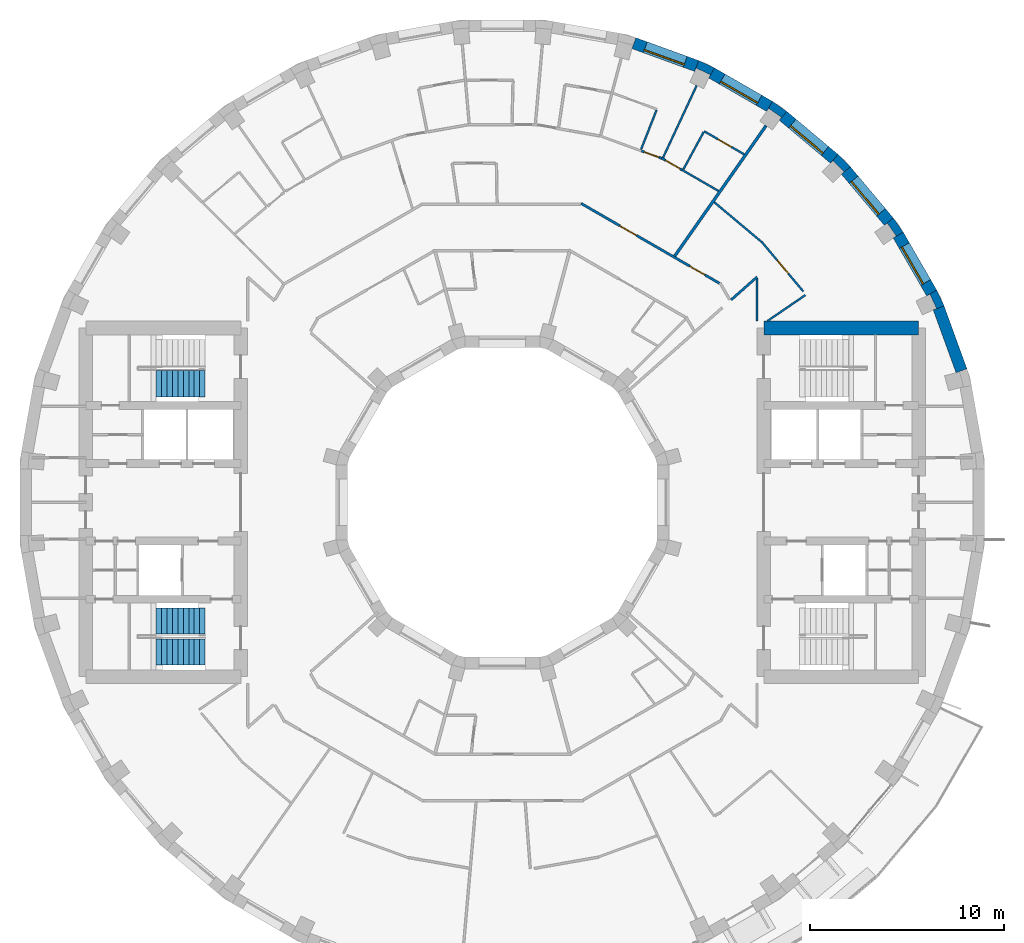
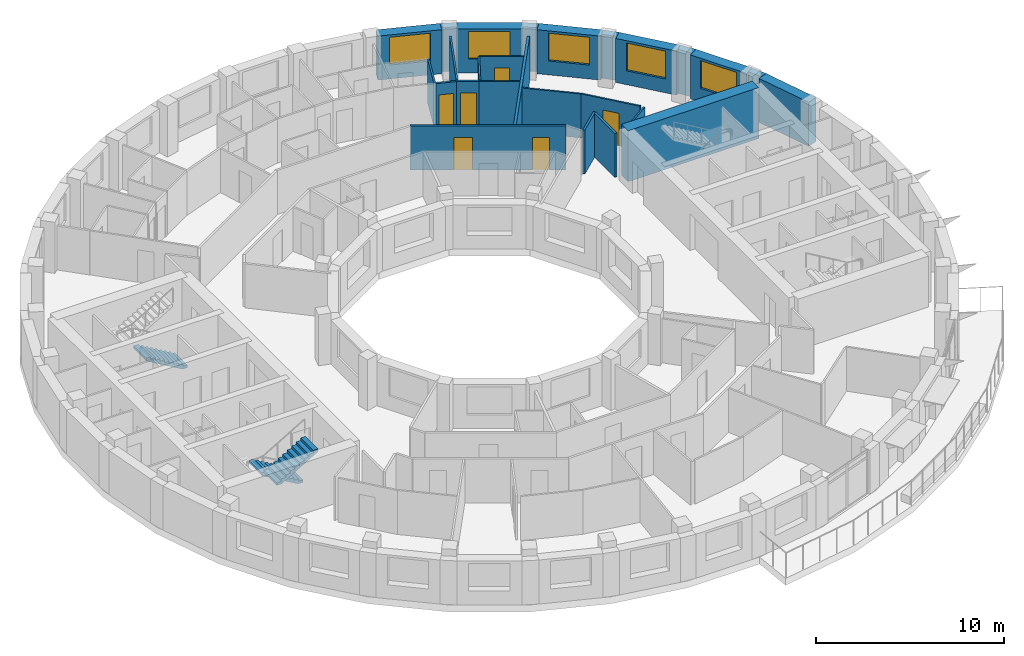
# One storey, part 13 of 15: 26 walls, 6 doors, 5 windows, 3 stair flights, 11 openings, 2 elements without a shape of their own.
"""IFC4 building model written with IfcOpenShell, lengths in metres."""

from ifc_helpers import new_model, si_unit, direction, frame, frame_2d, origin, place, context, subcontext, project, spatial, polyline, rectangle, outline, extrude, material, layer, layer_set, type_object, element, fill, aggregate, save


model = new_model("IFC4")

# Units and contexts
model_context = context("Model", 3, precision=1e-05, world=origin(), true_north=direction((0.0, 1.0)))
body_context = subcontext(model_context, "Body", "Model", "MODEL_VIEW")
ifc_project = project(units=[si_unit("LENGTHUNIT", "METRE"), si_unit("AREAUNIT", "SQUARE_METRE"), si_unit("VOLUMEUNIT", "CUBIC_METRE"), si_unit("PLANEANGLEUNIT", "RADIAN"), si_unit("MASSUNIT", "GRAM", prefix="KILO")], contexts=[model_context])

# Site, building, storey
site_placement = place(None, origin())
site = spatial("IfcSite", under=ifc_project, at=site_placement, CompositionType="ELEMENT")
building_placement = place(site_placement, origin())
building = spatial("IfcBuilding", under=site, at=building_placement, Name="Saqina Gate Tower", CompositionType="ELEMENT")
storey_placement = place(building_placement, frame((0.0, 0.0, 167.39990234375)))
storey = spatial("IfcBuildingStorey", under=building, at=storey_placement, Name="L47", CompositionType="ELEMENT", Elevation=167.39990234375)

# Walls
ifc_material_1 = material(Name="Brick masonry (buff)", Category="masonry")
wall_type_1 = type_object("IfcWallType", Name="BRICK PIER COPING BUFF", PredefinedType="SOLIDWALL", material=ifc_material_1)
wall_1_placement = place(storey_placement, origin())
element("IfcWall", 1, at=wall_1_placement, inside=storey, type_object=wall_type_1, Name="Pier cap L47 column 3", PredefinedType="SOLIDWALL", context=body_context, shape_type="SweptSolid", body=[
    extrude(outline(polyline([(22.4306640625, 10.958740234375), (21.9111328125, 10.65869140625), (22.080810546875, 10.73779296875), (22.4189453125, 10.0126953125), (22.249267578125, 9.93359375), (22.81298828125, 10.138916015625), (22.4306640625, 10.958740234375)])), origin(), (0.0, 0.0, 1.0), 2.85009765625),
])
wall_2_placement = place(storey_placement, origin())
element("IfcWall", 2, at=wall_2_placement, inside=storey, type_object=wall_type_1, Name="Pier cap L47 column 4", PredefinedType="SOLIDWALL", context=body_context, shape_type="SweptSolid", body=[
    extrude(outline(polyline([(20.705810546875, 13.9462890625), (20.18701171875, 14.687255859375), (19.727294921875, 14.301513671875), (19.880859375, 14.408935546875), (20.339599609375, 13.753662109375), (20.186279296875, 13.646240234375), (20.705810546875, 13.9462890625)])), origin(), (0.0, 0.0, 1.0), 2.85009765625),
])
wall_3_placement = place(storey_placement, origin())
element("IfcWall", 3, at=wall_3_placement, inside=storey, type_object=wall_type_1, Name="Pier cap L47 column 5", PredefinedType="SOLIDWALL", context=body_context, shape_type="SweptSolid", body=[
    extrude(outline(polyline([(17.329833984375, 17.969482421875), (16.944091796875, 17.510009765625), (17.07666015625, 17.642333984375), (17.642333984375, 17.07666015625), (17.510009765625, 16.944091796875), (17.969482421875, 17.329833984375), (17.329833984375, 17.969482421875)])), origin(), (0.0, 0.0, 1.0), 2.85009765625),
])
wall_4_placement = place(storey_placement, origin())
element("IfcWall", 4, at=wall_4_placement, inside=storey, type_object=wall_type_1, Name="Pier cap L47 column 6", PredefinedType="SOLIDWALL", context=body_context, shape_type="SweptSolid", body=[
    extrude(outline(polyline([(14.687255859375, 20.18701171875), (13.9462890625, 20.705810546875), (13.646240234375, 20.186279296875), (13.753662109375, 20.339599609375), (14.408935546875, 19.880859375), (14.301513671875, 19.727294921875), (14.687255859375, 20.18701171875)])), origin(), (0.0, 0.0, 1.0), 2.85009765625),
])
wall_5_placement = place(storey_placement, origin())
element("IfcWall", 5, at=wall_5_placement, inside=storey, type_object=wall_type_1, Name="Pier cap L47 column 7", PredefinedType="SOLIDWALL", context=body_context, shape_type="SweptSolid", body=[
    extrude(outline(polyline([(10.138916015625, 22.81298828125), (9.93359375, 22.249267578125), (10.0126953125, 22.4189453125), (10.73779296875, 22.080810546875), (10.65869140625, 21.9111328125), (10.958740234375, 22.4306640625), (10.138916015625, 22.81298828125)])), origin(), (0.0, 0.0, 1.0), 2.85009765625),
])

# Wall, opening, window
ifc_material_2 = material(Name="Brick masonry (buff)", Category="masonry")
ifc_layer_1 = layer(ifc_material_2, 0.60009765625)
ifc_layer_set_1 = layer_set([ifc_layer_1], Name="FW-BRICK-BUFF")
wall_type_2 = type_object("IfcWallType", Name="FW-BRICK-BUFF", PredefinedType="SOLIDWALL", material=ifc_layer_set_1)
wall_6_placement = place(storey_placement, frame((22.1708984375, 10.80859375, 0.0), z_axis=(0.0, 0.0, 1.0), x_axis=(-0.499998129301, 0.86602648383, 0.0)))
wall_6 = element("IfcWall", 6, at=wall_6_placement, inside=storey, type_object=wall_type_2, Name="Facade wall L47 facet 3", PredefinedType="SOLIDWALL", context=body_context, shape_type="SweptSolid", body=[
    extrude(rectangle(XDim=3.44970703125, YDim=0.60009765625, at=frame_2d((1.724853515625, 0.0))), origin(), (0.0, 0.0, 1.0), 2.85009765625),
])
opening_1_placement = place(wall_6_placement, frame((0.625, 0.0, 0.89990234375)))
opening_1 = element("IfcOpeningElement", 7, at=opening_1_placement, cuts=wall_6, Name="Opening G13-W01", PredefinedType="OPENING", context=body_context, shape_type="SweptSolid", body=[
    extrude(rectangle(XDim=2.199951171875, YDim=1.800048828125, at=frame_2d((1.10009765625, 0.89990234375))), frame((0.0, 0.31201171875, 0.0), z_axis=(0.0, -1.0, 0.0), x_axis=(1.0, 0.0, 0.0)), (0.0, 0.0, 1.0), 0.6240234375),
])
ifc_material_3 = material(Name="Aluminium glazing", Category="aluminium")
window_type = type_object("IfcWindowType", Name="WN-C", PartitioningType="SINGLE_PANEL", PredefinedType="WINDOW", material=ifc_material_3)
window_1_placement = place(opening_1_placement, origin())
window_1 = element("IfcWindow", 8, at=window_1_placement, inside=storey, type_object=window_type, Name="Window L47 facet 3", OverallHeight=1.800048828125, OverallWidth=2.199951171875, PartitioningType="SINGLE_PANEL", PredefinedType="WINDOW", context=body_context, shape_type="SweptSolid", body=[
    extrude(rectangle(XDim=2.199951171875, YDim=1.800048828125, at=frame_2d((1.10009765625, 0.89990234375))), frame((0.0, 0.179931640625, 0.0), z_axis=(0.0, -1.0, 0.0), x_axis=(1.0, 0.0, 0.0)), (0.0, 0.0, 1.0), 0.06005859375),
])
fill(opening_1, window_1)

wall_7_placement = place(storey_placement, frame((19.95703125, 14.494384765625, 0.0), z_axis=(0.0, 0.0, 1.0), x_axis=(-0.642770398358, 0.766058884809, 0.0)))
wall_7 = element("IfcWall", 9, at=wall_7_placement, inside=storey, type_object=wall_type_2, Name="Facade wall L47 facet 4", PredefinedType="SOLIDWALL", context=body_context, shape_type="SweptSolid", body=[
    extrude(rectangle(XDim=3.449462890625, YDim=0.60009765625, at=frame_2d((1.724609375, 0.0))), origin(), (0.0, 0.0, 1.0), 2.85009765625),
])
opening_2_placement = place(wall_7_placement, frame((0.625, 0.0, 0.89990234375)))
opening_2 = element("IfcOpeningElement", 10, at=opening_2_placement, cuts=wall_7, Name="Opening G13-W02", PredefinedType="OPENING", context=body_context, shape_type="SweptSolid", body=[
    extrude(rectangle(XDim=2.199951171875, YDim=1.800048828125, at=frame_2d((1.10009765625, 0.89990234375))), frame((0.0, 0.31201171875, 0.0), z_axis=(0.0, -1.0, 0.0), x_axis=(1.0, 0.0, 0.0)), (0.0, 0.0, 1.0), 0.6240234375),
])
window_2_placement = place(opening_2_placement, origin())
window_2 = element("IfcWindow", 11, at=window_2_placement, inside=storey, type_object=window_type, Name="Window L47 facet 4", OverallHeight=1.800048828125, OverallWidth=2.199951171875, PartitioningType="SINGLE_PANEL", PredefinedType="WINDOW", context=body_context, shape_type="SweptSolid", body=[
    extrude(rectangle(XDim=2.199951171875, YDim=1.800048828125, at=frame_2d((1.10009765625, 0.89990234375))), frame((0.0, 0.179931640625, 0.0), z_axis=(0.0, -1.0, 0.0), x_axis=(1.0, 0.0, 0.0)), (0.0, 0.0, 1.0), 0.06005859375),
])
fill(opening_2, window_2)

wall_8_placement = place(storey_placement, frame((17.136962890625, 17.73974609375, 0.0), z_axis=(0.0, 0.0, 1.0), x_axis=(-0.766058884809, 0.642770398358, 0.0)))
wall_8 = element("IfcWall", 12, at=wall_8_placement, inside=storey, type_object=wall_type_2, Name="Facade wall L47 facet 5", PredefinedType="SOLIDWALL", context=body_context, shape_type="SweptSolid", body=[
    extrude(rectangle(XDim=3.449462890625, YDim=0.60009765625, at=frame_2d((1.724609375, 0.0))), origin(), (0.0, 0.0, 1.0), 2.85009765625),
])
opening_3_placement = place(wall_8_placement, frame((0.625, 0.0, 0.89990234375)))
opening_3 = element("IfcOpeningElement", 13, at=opening_3_placement, cuts=wall_8, Name="Opening G13-W03", PredefinedType="OPENING", context=body_context, shape_type="SweptSolid", body=[
    extrude(rectangle(XDim=2.199951171875, YDim=1.800048828125, at=frame_2d((1.10009765625, 0.89990234375))), frame((0.0, 0.31201171875, 0.0), z_axis=(0.0, -1.0, 0.0), x_axis=(1.0, 0.0, 0.0)), (0.0, 0.0, 1.0), 0.6240234375),
])
window_3_placement = place(opening_3_placement, origin())
window_3 = element("IfcWindow", 14, at=window_3_placement, inside=storey, type_object=window_type, Name="Window L47 facet 5", OverallHeight=1.800048828125, OverallWidth=2.199951171875, PartitioningType="SINGLE_PANEL", PredefinedType="WINDOW", context=body_context, shape_type="SweptSolid", body=[
    extrude(rectangle(XDim=2.199951171875, YDim=1.800048828125, at=frame_2d((1.10009765625, 0.89990234375))), frame((0.0, 0.179931640625, 0.0), z_axis=(0.0, -1.0, 0.0), x_axis=(1.0, 0.0, 0.0)), (0.0, 0.0, 1.0), 0.06005859375),
])
fill(opening_3, window_3)

wall_9_placement = place(storey_placement, frame((13.796142578125, 20.446044921875, 0.0), z_axis=(0.0, 0.0, 1.0), x_axis=(-0.86602648383, 0.499998129301, 0.0)))
wall_9 = element("IfcWall", 15, at=wall_9_placement, inside=storey, type_object=wall_type_2, Name="Facade wall L47 facet 6", PredefinedType="SOLIDWALL", context=body_context, shape_type="SweptSolid", body=[
    extrude(rectangle(XDim=3.44970703125, YDim=0.60009765625, at=frame_2d((1.724853515625, 0.0))), origin(), (0.0, 0.0, 1.0), 2.85009765625),
])
opening_4_placement = place(wall_9_placement, frame((0.625, 0.0, 0.89990234375)))
opening_4 = element("IfcOpeningElement", 16, at=opening_4_placement, cuts=wall_9, Name="Opening G13-W04", PredefinedType="OPENING", context=body_context, shape_type="SweptSolid", body=[
    extrude(rectangle(XDim=2.199951171875, YDim=1.800048828125, at=frame_2d((1.10009765625, 0.89990234375))), frame((0.0, 0.31201171875, 0.0), z_axis=(0.0, -1.0, 0.0), x_axis=(1.0, 0.0, 0.0)), (0.0, 0.0, 1.0), 0.6240234375),
])
window_4_placement = place(opening_4_placement, origin())
window_4 = element("IfcWindow", 17, at=window_4_placement, inside=storey, type_object=window_type, Name="Window L47 facet 6", OverallHeight=1.800048828125, OverallWidth=2.199951171875, PartitioningType="SINGLE_PANEL", PredefinedType="WINDOW", context=body_context, shape_type="SweptSolid", body=[
    extrude(rectangle(XDim=2.199951171875, YDim=1.800048828125, at=frame_2d((1.10009765625, 0.89990234375))), frame((0.0, 0.179931640625, 0.0), z_axis=(0.0, -1.0, 0.0), x_axis=(1.0, 0.0, 0.0)), (0.0, 0.0, 1.0), 0.06005859375),
])
fill(opening_4, window_4)

wall_10_placement = place(storey_placement, frame((10.0361328125, 22.531005859375, 0.0), z_axis=(0.0, 0.0, 1.0), x_axis=(-0.93968799822, 0.342032843455, 0.0)))
wall_10 = element("IfcWall", 18, at=wall_10_placement, inside=storey, type_object=wall_type_2, Name="Facade wall L47 facet 7", PredefinedType="SOLIDWALL", context=body_context, shape_type="SweptSolid", body=[
    extrude(rectangle(XDim=3.44970703125, YDim=0.60009765625, at=frame_2d((1.724853515625, 0.0))), origin(), (0.0, 0.0, 1.0), 2.85009765625),
])
opening_5_placement = place(wall_10_placement, frame((0.625, 0.0, 0.89990234375)))
opening_5 = element("IfcOpeningElement", 19, at=opening_5_placement, cuts=wall_10, Name="Opening G13-W05", PredefinedType="OPENING", context=body_context, shape_type="SweptSolid", body=[
    extrude(rectangle(XDim=2.199951171875, YDim=1.800048828125, at=frame_2d((1.10009765625, 0.89990234375))), frame((0.0, 0.31201171875, 0.0), z_axis=(0.0, -1.0, 0.0), x_axis=(1.0, 0.0, 0.0)), (0.0, 0.0, 1.0), 0.6240234375),
])
window_5_placement = place(opening_5_placement, origin())
window_5 = element("IfcWindow", 20, at=window_5_placement, inside=storey, type_object=window_type, Name="Window L47 facet 7", OverallHeight=1.800048828125, OverallWidth=2.199951171875, PartitioningType="SINGLE_PANEL", PredefinedType="WINDOW", context=body_context, shape_type="SweptSolid", body=[
    extrude(rectangle(XDim=2.199951171875, YDim=1.800048828125, at=frame_2d((1.10009765625, 0.89990234375))), frame((0.0, 0.179931640625, 0.0), z_axis=(0.0, -1.0, 0.0), x_axis=(1.0, 0.0, 0.0)), (0.0, 0.0, 1.0), 0.06005859375),
])
fill(opening_5, window_5)

# Wall
ifc_material_4 = material(Name="Glazed ceramic tile", Category="ceramic")
ifc_layer_2 = layer(ifc_material_4, 0.60009765625)
ifc_layer_set_2 = layer_set([ifc_layer_2], Name="FW-TILE")
wall_type_3 = type_object("IfcWallType", Name="FW-TILE", PredefinedType="SOLIDWALL", material=ifc_layer_set_2)
wall_11_placement = place(storey_placement, frame((23.7109375, 6.79443359375, 0.0), z_axis=(0.0, 0.0, 1.0), x_axis=(-0.342032843455, 0.93968799822, 0.0)))
element("IfcWall", 21, at=wall_11_placement, inside=storey, type_object=wall_type_3, Name="Facade wall L47 facet 2", PredefinedType="SOLIDWALL", context=body_context, shape_type="SweptSolid", body=[
    extrude(rectangle(XDim=3.44970703125, YDim=0.60009765625, at=frame_2d((1.724853515625, 0.0))), origin(), (0.0, 0.0, 1.0), 2.85009765625),
])

# Wall, opening, door
ifc_material_5 = material(Name="Gypsum board on steel studs, 100 mm", Category="steel")
ifc_layer_3 = layer(ifc_material_5, 0.10009765625)
ifc_layer_set_3 = layer_set([ifc_layer_3], Name="PARTITION 100")
wall_type_4 = type_object("IfcWallType", Name="PARTITION 100", PredefinedType="PARTITIONING", material=ifc_layer_set_3)
wall_12_placement = place(storey_placement, frame((13.386474609375, 13.4580078125, 0.0), z_axis=(0.0, 0.0, 1.0), x_axis=(0.642690725871, -0.766125727854, 0.0)))
wall_12 = element("IfcWall", 22, at=wall_12_placement, inside=storey, type_object=wall_type_4, Name="PARTITION PW3-17", PredefinedType="PARTITIONING", context=body_context, shape_type="SweptSolid", body=[
    extrude(rectangle(XDim=3.3583984375, YDim=0.10009765625, at=frame_2d((1.67919921875, 0.0))), origin(), (0.0, 0.0, 1.0), 2.85009765625),
])
opening_6_placement = place(wall_12_placement, frame((1.254638671875, 0.0, 0.0)))
opening_6 = element("IfcOpeningElement", 23, at=opening_6_placement, cuts=wall_12, Name="Opening G13-D01", PredefinedType="OPENING", context=body_context, shape_type="SweptSolid", body=[
    extrude(rectangle(XDim=0.89990234375, YDim=2.10009765625, at=frame_2d((0.449951171875, 1.050048828125))), frame((0.0, 0.06201171875, 0.0), z_axis=(0.0, -1.0, 0.0), x_axis=(1.0, 0.0, 0.0)), (0.0, 0.0, 1.0), 0.1240234375),
])
ifc_material_6 = material(Name="Timber door leaf, 900 mm", Category="wood")
door_type_1 = type_object("IfcDoorType", Name="DOOR 900 TIMBER", OperationType="SINGLE_SWING_LEFT", PredefinedType="DOOR", material=ifc_material_6)
door_1_placement = place(opening_6_placement, origin())
door_1 = element("IfcDoor", 24, at=door_1_placement, inside=storey, type_object=door_type_1, Name="DOOR G13-D01", OperationType="SINGLE_SWING_RIGHT", OverallHeight=2.10009765625, OverallWidth=0.89990234375, PredefinedType="DOOR", context=body_context, shape_type="SweptSolid", body=[
    extrude(rectangle(XDim=0.89990234375, YDim=2.10009765625, at=frame_2d((0.449951171875, 1.050048828125))), frame((0.0, 0.02490234375, 0.0), z_axis=(0.0, -1.0, 0.0), x_axis=(1.0, 0.0, 0.0)), (0.0, 0.0, 1.0), 0.050048828125),
])
fill(opening_6, door_1)

# Walls
wall_13_placement = place(storey_placement, frame((10.9423828125, 15.496826171875, 0.0), z_axis=(0.0, 0.0, 1.0), x_axis=(0.766085537519, -0.642738632109, 0.0)))
element("IfcWall", 25, at=wall_13_placement, inside=storey, type_object=wall_type_4, Name="PARTITION PW3-22", PredefinedType="PARTITIONING", context=body_context, shape_type="SweptSolid", body=[
    extrude(rectangle(XDim=3.1826171875, YDim=0.10009765625, at=frame_2d((1.59130859375, 0.0))), origin(), (0.0, 0.0, 1.0), 2.85009765625),
])
wall_14_placement = place(storey_placement, frame((9.277587890625, 17.166015625, 0.0), z_axis=(0.0, 0.0, 1.0), x_axis=(0.865855370195, -0.500294391238, 0.0)))
element("IfcWall", 26, at=wall_14_placement, inside=storey, type_object=wall_type_4, Name="PARTITION PW3-25", PredefinedType="PARTITIONING", context=body_context, shape_type="SweptSolid", body=[
    extrude(rectangle(XDim=2.179931640625, YDim=0.10009765625, at=frame_2d((1.08984375, 0.0))), origin(), (0.0, 0.0, 1.0), 2.85009765625),
])

# Wall, opening, door
wall_15_placement = place(storey_placement, frame((10.419921875, 19.162109375, 0.0), z_axis=(0.0, 0.0, 1.0), x_axis=(0.866129460467, -0.499819725211, 0.0)))
wall_15 = element("IfcWall", 27, at=wall_15_placement, inside=storey, type_object=wall_type_4, Name="PARTITION PW3-26", PredefinedType="PARTITIONING", context=body_context, shape_type="SweptSolid", body=[
    extrude(rectangle(XDim=2.39013671875, YDim=0.10009765625, at=frame_2d((1.195068359375, 0.0))), origin(), (0.0, 0.0, 1.0), 2.85009765625),
])
opening_7_placement = place(wall_15_placement, frame((0.83251953125, 0.0, 0.0)))
opening_7 = element("IfcOpeningElement", 28, at=opening_7_placement, cuts=wall_15, Name="Opening G13-D04", PredefinedType="OPENING", context=body_context, shape_type="SweptSolid", body=[
    extrude(rectangle(XDim=0.800048828125, YDim=2.10009765625, at=frame_2d((0.39990234375, 1.050048828125))), frame((0.0, 0.06201171875, 0.0), z_axis=(0.0, -1.0, 0.0), x_axis=(1.0, 0.0, 0.0)), (0.0, 0.0, 1.0), 0.1240234375),
])
ifc_material_7 = material(Name="Timber door leaf, 800 mm", Category="wood")
door_type_2 = type_object("IfcDoorType", Name="DOOR 800 TIMBER", OperationType="SINGLE_SWING_LEFT", PredefinedType="DOOR", material=ifc_material_7)
door_2_placement = place(opening_7_placement, origin())
door_2 = element("IfcDoor", 29, at=door_2_placement, inside=storey, type_object=door_type_2, Name="DOOR G13-D04", OperationType="SINGLE_SWING_RIGHT", OverallHeight=2.10009765625, OverallWidth=0.800048828125, PredefinedType="DOOR", context=body_context, shape_type="SweptSolid", body=[
    extrude(rectangle(XDim=0.800048828125, YDim=2.10009765625, at=frame_2d((0.39990234375, 1.050048828125))), frame((0.0, 0.02490234375, 0.0), z_axis=(0.0, -1.0, 0.0), x_axis=(1.0, 0.0, 0.0)), (0.0, 0.0, 1.0), 0.050048828125),
])
fill(opening_7, door_2)

# Walls
wall_16_placement = place(storey_placement, frame((13.673095703125, 9.35009765625, 0.0), z_axis=(0.0, 0.0, 1.0), x_axis=(0.82545226585, 0.564471927382, 0.0)))
element("IfcWall", 30, at=wall_16_placement, inside=storey, type_object=wall_type_4, Name="PARTITION PW3-48", PredefinedType="PARTITIONING", context=body_context, shape_type="SweptSolid", body=[
    extrude(rectangle(XDim=2.394775390625, YDim=0.10009765625, at=frame_2d((1.197265625, 0.0))), origin(), (0.0, 0.0, 1.0), 2.85009765625),
])
wall_17_placement = place(storey_placement, frame((9.35107421875, 17.196044921875, 0.0), z_axis=(0.0, 0.0, 1.0), x_axis=(0.477616319427, 0.87856852403, 0.0)))
element("IfcWall", 31, at=wall_17_placement, inside=storey, type_object=wall_type_4, Name="PARTITION PW3-55", PredefinedType="PARTITIONING", context=body_context, shape_type="SweptSolid", body=[
    extrude(rectangle(XDim=2.187744140625, YDim=0.10009765625, at=frame_2d((1.09375, 0.0))), origin(), (0.0, 0.0, 1.0), 2.85009765625),
])
wall_18_placement = place(storey_placement, frame((8.301513671875, 17.8017578125, 0.0), z_axis=(0.0, 0.0, 1.0), x_axis=(0.422546217204, 0.90634137847, 0.0)))
element("IfcWall", 32, at=wall_18_placement, inside=storey, type_object=wall_type_4, Name="PARTITION PW3-57", PredefinedType="PARTITIONING", context=body_context, shape_type="SweptSolid", body=[
    extrude(rectangle(XDim=4.09765625, YDim=0.10009765625, at=frame_2d((2.048828125, 0.0))), origin(), (0.0, 0.0, 1.0), 2.85009765625),
])
wall_19_placement = place(storey_placement, frame((7.161865234375, 18.216064453125, 0.0), z_axis=(0.0, 0.0, 1.0), x_axis=(0.365959579046, 0.930630746593, 0.0)))
element("IfcWall", 33, at=wall_19_placement, inside=storey, type_object=wall_type_4, Name="PARTITION PW3-59", PredefinedType="PARTITIONING", context=body_context, shape_type="SweptSolid", body=[
    extrude(rectangle(XDim=2.188232421875, YDim=0.10009765625, at=frame_2d((1.09423828125, 0.0))), origin(), (0.0, 0.0, 1.0), 2.85009765625),
])

# Wall, openings, doors
ifc_material_8 = material(Name="Gypsum board on steel studs, 125 mm, fire rated", Category="steel")
ifc_layer_4 = layer(ifc_material_8, 0.125)
ifc_layer_set_4 = layer_set([ifc_layer_4], Name="PARTITION EI 30 125")
wall_type_5 = type_object("IfcWallType", Name="PARTITION EI 30 125", PredefinedType="PARTITIONING", material=ifc_layer_set_4)
wall_20_placement = place(storey_placement, frame((4.0634765625, 15.43603515625, 0.0), z_axis=(0.0, 0.0, 1.0), x_axis=(0.866074891173, -0.499914275531, 0.0)))
wall_20 = element("IfcWall", 34, at=wall_20_placement, inside=storey, type_object=wall_type_5, Name="PARTITION PW1-13", PredefinedType="PARTITIONING", context=body_context, shape_type="SweptSolid", body=[
    extrude(rectangle(XDim=8.26318359375, YDim=0.125, at=frame_2d((4.131591796875, 0.0))), origin(), (0.0, 0.0, 1.0), 2.85009765625),
])
opening_8_placement = place(wall_20_placement, frame((6.486083984375, 0.0, 0.0)))
opening_8 = element("IfcOpeningElement", 35, at=opening_8_placement, cuts=wall_20, Name="Opening G13-D02", PredefinedType="OPENING", context=body_context, shape_type="SweptSolid", body=[
    extrude(rectangle(XDim=0.89990234375, YDim=2.10009765625, at=frame_2d((0.449951171875, 1.050048828125))), frame((0.0, 0.074462890625, 0.0), z_axis=(0.0, -1.0, 0.0), x_axis=(1.0, 0.0, 0.0)), (0.0, 0.0, 1.0), 0.14892578125),
])
opening_9_placement = place(wall_20_placement, frame((2.309326171875, 0.0, 0.0)))
opening_9 = element("IfcOpeningElement", 36, at=opening_9_placement, cuts=wall_20, Name="Opening G13-D07", PredefinedType="OPENING", context=body_context, shape_type="SweptSolid", body=[
    extrude(rectangle(XDim=1.0, YDim=2.10009765625, at=frame_2d((0.5, 1.050048828125))), frame((0.0, 0.074462890625, 0.0), z_axis=(0.0, -1.0, 0.0), x_axis=(1.0, 0.0, 0.0)), (0.0, 0.0, 1.0), 0.14892578125),
])
ifc_material_9 = material(Name="Fire door leaf EI 30, 1000 mm")
door_type_3 = type_object("IfcDoorType", Name="DOOR 1000 EI 30", OperationType="SINGLE_SWING_LEFT", PredefinedType="DOOR", material=ifc_material_9)
door_3_placement = place(opening_9_placement, origin())
door_3 = element("IfcDoor", 37, at=door_3_placement, inside=storey, type_object=door_type_3, Name="DOOR G13-D07", OperationType="SINGLE_SWING_LEFT", OverallHeight=2.10009765625, OverallWidth=1.0, PredefinedType="DOOR", context=body_context, shape_type="SweptSolid", body=[
    extrude(rectangle(XDim=1.0, YDim=2.10009765625, at=frame_2d((0.5, 1.050048828125))), frame((0.0, 0.02490234375, 0.0), z_axis=(0.0, -1.0, 0.0), x_axis=(1.0, 0.0, 0.0)), (0.0, 0.0, 1.0), 0.050048828125),
])
fill(opening_9, door_3)
ifc_material_10 = material(Name="Fire door leaf EI 30, 900 mm")
door_type_4 = type_object("IfcDoorType", Name="DOOR 900 EI 30", OperationType="SINGLE_SWING_LEFT", PredefinedType="DOOR", material=ifc_material_10)
door_4_placement = place(opening_8_placement, origin())
door_4 = element("IfcDoor", 38, at=door_4_placement, inside=storey, type_object=door_type_4, Name="DOOR G13-D02", OperationType="SINGLE_SWING_RIGHT", OverallHeight=2.10009765625, OverallWidth=0.89990234375, PredefinedType="DOOR", context=body_context, shape_type="SweptSolid", body=[
    extrude(rectangle(XDim=0.89990234375, YDim=2.10009765625, at=frame_2d((0.449951171875, 1.050048828125))), frame((0.0, 0.02490234375, 0.0), z_axis=(0.0, -1.0, 0.0), x_axis=(1.0, 0.0, 0.0)), (0.0, 0.0, 1.0), 0.050048828125),
])
fill(opening_8, door_4)

# Wall, opening, door
wall_21_placement = place(storey_placement, frame((8.219970703125, 17.77685546875, 0.0), z_axis=(0.0, 0.0, 1.0), x_axis=(0.865945878506, -0.500137716533, 0.0)))
wall_21 = element("IfcWall", 39, at=wall_21_placement, inside=storey, type_object=wall_type_5, Name="PARTITION PW1-14", PredefinedType="PARTITIONING", context=body_context, shape_type="SweptSolid", body=[
    extrude(rectangle(XDim=1.221435546875, YDim=0.125, at=frame_2d((0.61083984375, 0.0))), origin(), (0.0, 0.0, 1.0), 2.85009765625),
])
opening_10_placement = place(wall_21_placement, frame((0.242431640625, 0.0, 0.0)))
opening_10 = element("IfcOpeningElement", 40, at=opening_10_placement, cuts=wall_21, Name="Opening G13-D06", PredefinedType="OPENING", context=body_context, shape_type="SweptSolid", body=[
    extrude(rectangle(XDim=0.85009765625, YDim=2.10009765625, at=frame_2d((0.425048828125, 1.050048828125))), frame((0.0, 0.074462890625, 0.0), z_axis=(0.0, -1.0, 0.0), x_axis=(1.0, 0.0, 0.0)), (0.0, 0.0, 1.0), 0.14892578125),
])
ifc_material_11 = material(Name="Fire door leaf EI 30, 850 mm")
door_type_5 = type_object("IfcDoorType", Name="DOOR 850 EI 30", OperationType="SINGLE_SWING_LEFT", PredefinedType="DOOR", material=ifc_material_11)
door_5_placement = place(opening_10_placement, frame((0.85009765625, 0.0, 0.0), z_axis=(0.0, 0.0, 1.0), x_axis=(-1.0, 0.0, 0.0)))
door_5 = element("IfcDoor", 41, at=door_5_placement, inside=storey, type_object=door_type_5, Name="DOOR G13-D06", OperationType="SINGLE_SWING_RIGHT", OverallHeight=2.10009765625, OverallWidth=0.85009765625, PredefinedType="DOOR", context=body_context, shape_type="SweptSolid", body=[
    extrude(rectangle(XDim=0.85009765625, YDim=2.10009765625, at=frame_2d((0.425048828125, 1.050048828125))), frame((0.0, 0.02490234375, 0.0), z_axis=(0.0, -1.0, 0.0), x_axis=(1.0, 0.0, 0.0)), (0.0, 0.0, 1.0), 0.050048828125),
])
fill(opening_10, door_5)

wall_22_placement = place(storey_placement, frame((7.18603515625, 18.140869140625, 0.0), z_axis=(0.0, 0.0, 1.0), x_axis=(0.939832432098, -0.341635770341, 0.0)))
wall_22 = element("IfcWall", 42, at=wall_22_placement, inside=storey, type_object=wall_type_5, Name="PARTITION PW1-15", PredefinedType="PARTITIONING", context=body_context, shape_type="SweptSolid", body=[
    extrude(rectangle(XDim=1.09619140625, YDim=0.125, at=frame_2d((0.548095703125, 0.0))), origin(), (0.0, 0.0, 1.0), 2.85009765625),
])
opening_11_placement = place(wall_22_placement, frame((0.154296875, 0.0, 0.0)))
opening_11 = element("IfcOpeningElement", 43, at=opening_11_placement, cuts=wall_22, Name="Opening G13-D08", PredefinedType="OPENING", context=body_context, shape_type="SweptSolid", body=[
    extrude(rectangle(XDim=0.800048828125, YDim=2.10009765625, at=frame_2d((0.39990234375, 1.050048828125))), frame((0.0, 0.074462890625, 0.0), z_axis=(0.0, -1.0, 0.0), x_axis=(1.0, 0.0, 0.0)), (0.0, 0.0, 1.0), 0.14892578125),
])
ifc_material_12 = material(Name="Fire door leaf EI 30, 800 mm")
door_type_6 = type_object("IfcDoorType", Name="DOOR 800 EI 30", OperationType="SINGLE_SWING_LEFT", PredefinedType="DOOR", material=ifc_material_12)
door_6_placement = place(opening_11_placement, frame((0.800048828125, 0.0, 0.0), z_axis=(0.0, 0.0, 1.0), x_axis=(-1.0, 0.0, 0.0)))
door_6 = element("IfcDoor", 44, at=door_6_placement, inside=storey, type_object=door_type_6, Name="DOOR G13-D08", OperationType="SINGLE_SWING_LEFT", OverallHeight=2.10009765625, OverallWidth=0.800048828125, PredefinedType="DOOR", context=body_context, shape_type="SweptSolid", body=[
    extrude(rectangle(XDim=0.800048828125, YDim=2.10009765625, at=frame_2d((0.39990234375, 1.050048828125))), frame((0.0, 0.02490234375, 0.0), z_axis=(0.0, -1.0, 0.0), x_axis=(1.0, 0.0, 0.0)), (0.0, 0.0, 1.0), 0.050048828125),
])
fill(opening_11, door_6)

# Walls
wall_23_placement = place(storey_placement, frame((11.816650390625, 10.45458984375, 0.0), z_axis=(0.0, 0.0, 1.0), x_axis=(0.748988708904, 0.662582760065, 0.0)))
element("IfcWall", 45, at=wall_23_placement, inside=storey, type_object=wall_type_5, Name="PARTITION PW1-33", PredefinedType="PARTITIONING", context=body_context, shape_type="SweptSolid", body=[
    extrude(rectangle(XDim=1.780029296875, YDim=0.125, at=frame_2d((0.89013671875, 0.0))), origin(), (0.0, 0.0, 1.0), 2.85009765625),
])
wall_24_placement = place(storey_placement, frame((13.14990234375, 9.35009765625, 0.0), z_axis=(0.0, 0.0, 1.0), x_axis=(0.0, 1.0, 0.0)))
element("IfcWall", 46, at=wall_24_placement, inside=storey, type_object=wall_type_5, Name="PARTITION PW1-39", PredefinedType="PARTITIONING", context=body_context, shape_type="SweptSolid", body=[
    extrude(rectangle(XDim=2.221435546875, YDim=0.125, at=frame_2d((1.11083984375, 0.0))), origin(), (0.0, 0.0, 1.0), 2.85009765625),
])
ifc_material_13 = material(Name="Gypsum board on steel studs, 150 mm, fire rated", Category="steel")
ifc_layer_5 = layer(ifc_material_13, 0.14990234375)
ifc_layer_set_5 = layer_set([ifc_layer_5], Name="PARTITION EI 60 150")
wall_type_6 = type_object("IfcWallType", Name="PARTITION EI 60 150", PredefinedType="PARTITIONING", material=ifc_layer_set_5)
wall_25_placement = place(storey_placement, frame((8.90283203125, 12.714599609375, 0.0), z_axis=(0.0, 0.0, 1.0), x_axis=(0.573585951544, 0.819145381597, 0.0)))
element("IfcWall", 47, at=wall_25_placement, inside=storey, type_object=wall_type_6, Name="PARTITION PW2-03", PredefinedType="PARTITIONING", context=body_context, shape_type="SweptSolid", body=[
    extrude(rectangle(XDim=8.21826171875, YDim=0.14990234375, at=frame_2d((4.109130859375, 0.0))), origin(), (0.0, 0.0, 1.0), 2.85009765625),
])
ifc_material_14 = material(Name="Concrete C60/75", Category="concrete")
ifc_layer_6 = layer(ifc_material_14, 0.699951171875)
ifc_layer_set_6 = layer_set([ifc_layer_6], Name="Concrete C60/75")
wall_type_7 = type_object("IfcWallType", Name="STR-CORE WALL-C-O", PredefinedType="SHEAR", material=ifc_layer_set_6)
wall_26_placement = place(storey_placement, frame((13.5, 9.0, 0.0), z_axis=(0.0, 0.0, 1.0), x_axis=(1.0, 0.0, 0.0)))
element("IfcWall", 48, at=wall_26_placement, inside=storey, type_object=wall_type_7, Name="CORE WALL L47 E-NE", PredefinedType="SHEAR", context=body_context, shape_type="SweptSolid", body=[
    extrude(rectangle(XDim=8.0, YDim=0.699951171875, at=frame_2d((4.0, 0.0))), origin(), (0.0, 0.0, 1.0), 3.300048828125),
])

# Stair, stair flight
ifc_material_15 = material(Name="Concrete C40/50", Category="concrete")
stair_type = type_object("IfcStairType", Name="EXIT STAIR", PredefinedType="HALF_TURN_STAIR", material=ifc_material_15)
stair_1_placement = place(storey_placement, origin())
stair_1 = element("IfcStair", 49, at=stair_1_placement, inside=storey, type_object=stair_type, Name="EXIT STAIR 3", PredefinedType="HALF_TURN_STAIR")
ifc_material_16 = material(Name="Concrete C40/50", Category="concrete")
stair_flight_type = type_object("IfcStairFlightType", Name="EXIT STAIR FLIGHT", PredefinedType="STRAIGHT", material=ifc_material_16)
stair_flight_1_placement = place(storey_placement, frame((-15.35009765625, 6.125, 0.0), z_axis=(0.0, 0.0, 1.0), x_axis=(-1.0, 0.0, 0.0)))
stair_flight_1 = element("IfcStairFlight", 50, at=stair_flight_1_placement, type_object=stair_flight_type, Name="EXIT STAIR 3 FLIGHT 1", NumberOfRisers=10, NumberOfTreads=9, PredefinedType="STRAIGHT", RiserHeight=0.165, TreadLength=0.28, context=body_context, shape_type="SweptSolid", body=[
    extrude(outline(polyline([(0.0, 0.0), (0.0, 0.1650390625), (0.280029296875, 0.1650390625), (0.280029296875, 0.330078125), (0.56005859375, 0.330078125), (0.56005859375, 0.4951171875), (0.840087890625, 0.4951171875), (0.840087890625, 0.659912109375), (1.1201171875, 0.659912109375), (1.1201171875, 0.824951171875), (1.39990234375, 0.824951171875), (1.39990234375, 0.989990234375), (1.679931640625, 0.989990234375), (1.679931640625, 1.155029296875), (1.9599609375, 1.155029296875), (1.9599609375, 1.320068359375), (2.239990234375, 1.320068359375), (2.239990234375, 1.485107421875), (2.52001953125, 1.485107421875), (2.52001953125, 1.64990234375), (2.52001953125, 1.31103515625), (0.295166015625, 0.0), (0.0, 0.0)])), frame((0.0, 0.675048828125, 0.0), z_axis=(0.0, -1.0, 0.0), x_axis=(1.0, 0.0, 0.0)), (0.0, 0.0, 1.0), 1.35009765625),
])
aggregate(stair_1, [stair_flight_1])

# Stair, stair flights
stair_2_placement = place(storey_placement, origin())
stair_2 = element("IfcStair", 51, at=stair_2_placement, inside=storey, type_object=stair_type, Name="EXIT STAIR 4", PredefinedType="HALF_TURN_STAIR")
stair_flight_2_placement = place(storey_placement, frame((-15.35009765625, -6.125, 0.0), z_axis=(0.0, 0.0, 1.0), x_axis=(-1.0, 0.0, 0.0)))
stair_flight_2 = element("IfcStairFlight", 52, at=stair_flight_2_placement, type_object=stair_flight_type, Name="EXIT STAIR 4 FLIGHT 1", NumberOfRisers=10, NumberOfTreads=9, PredefinedType="STRAIGHT", RiserHeight=0.165, TreadLength=0.28, context=body_context, shape_type="SweptSolid", body=[
    extrude(outline(polyline([(0.0, 0.0), (0.0, 0.1650390625), (0.280029296875, 0.1650390625), (0.280029296875, 0.330078125), (0.56005859375, 0.330078125), (0.56005859375, 0.4951171875), (0.840087890625, 0.4951171875), (0.840087890625, 0.659912109375), (1.1201171875, 0.659912109375), (1.1201171875, 0.824951171875), (1.39990234375, 0.824951171875), (1.39990234375, 0.989990234375), (1.679931640625, 0.989990234375), (1.679931640625, 1.155029296875), (1.9599609375, 1.155029296875), (1.9599609375, 1.320068359375), (2.239990234375, 1.320068359375), (2.239990234375, 1.485107421875), (2.52001953125, 1.485107421875), (2.52001953125, 1.64990234375), (2.52001953125, 1.31103515625), (0.295166015625, 0.0), (0.0, 0.0)])), frame((0.0, 0.675048828125, 0.0), z_axis=(0.0, -1.0, 0.0), x_axis=(1.0, 0.0, 0.0)), (0.0, 0.0, 1.0), 1.35009765625),
])
stair_flight_3_placement = place(storey_placement, frame((-17.8701171875, -7.72509765625, 1.650146484375), z_axis=(0.0, 0.0, 1.0), x_axis=(1.0, 0.0, 0.0)))
stair_flight_3 = element("IfcStairFlight", 53, at=stair_flight_3_placement, type_object=stair_flight_type, Name="EXIT STAIR 4 FLIGHT 2", NumberOfRisers=10, NumberOfTreads=9, PredefinedType="STRAIGHT", RiserHeight=0.165, TreadLength=0.28, context=body_context, shape_type="SweptSolid", body=[
    extrude(outline(polyline([(0.0, 0.0), (0.0, 0.1650390625), (0.280029296875, 0.1650390625), (0.280029296875, 0.330078125), (0.56005859375, 0.330078125), (0.56005859375, 0.4951171875), (0.840087890625, 0.4951171875), (0.840087890625, 0.659912109375), (1.1201171875, 0.659912109375), (1.1201171875, 0.824951171875), (1.39990234375, 0.824951171875), (1.39990234375, 0.989990234375), (1.679931640625, 0.989990234375), (1.679931640625, 1.155029296875), (1.9599609375, 1.155029296875), (1.9599609375, 1.320068359375), (2.239990234375, 1.320068359375), (2.239990234375, 1.485107421875), (2.52001953125, 1.485107421875), (2.52001953125, 1.64990234375), (2.52001953125, 1.31103515625), (0.295166015625, 0.0), (0.0, 0.0)])), frame((0.0, 0.675048828125, 0.0), z_axis=(0.0, -1.0, 0.0), x_axis=(1.0, 0.0, 0.0)), (0.0, 0.0, 1.0), 1.35009765625),
])
aggregate(stair_2, [stair_flight_2, stair_flight_3])

save(model, "model.ifc")
